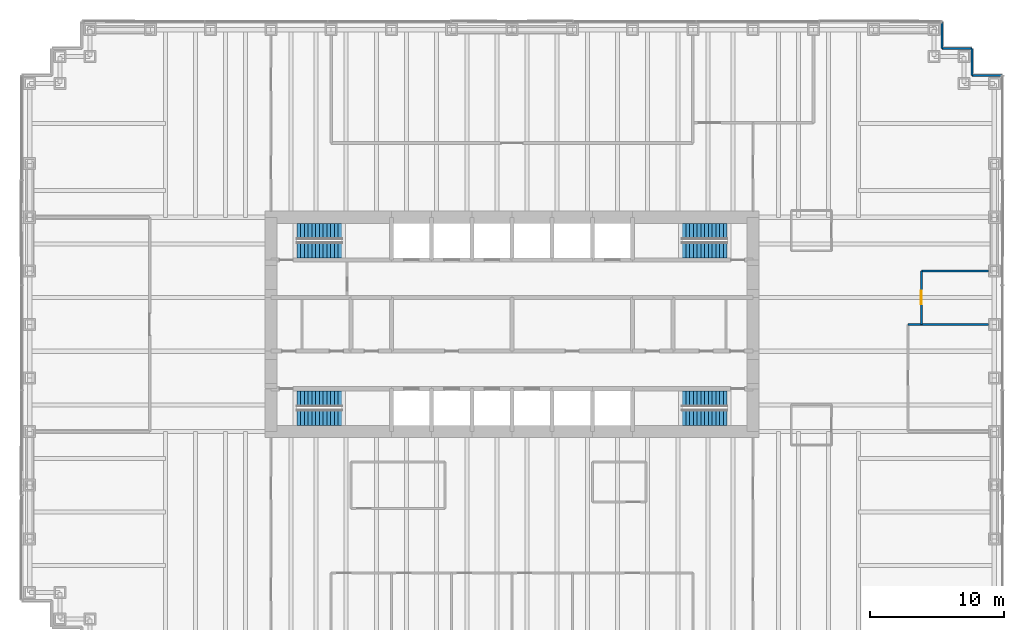
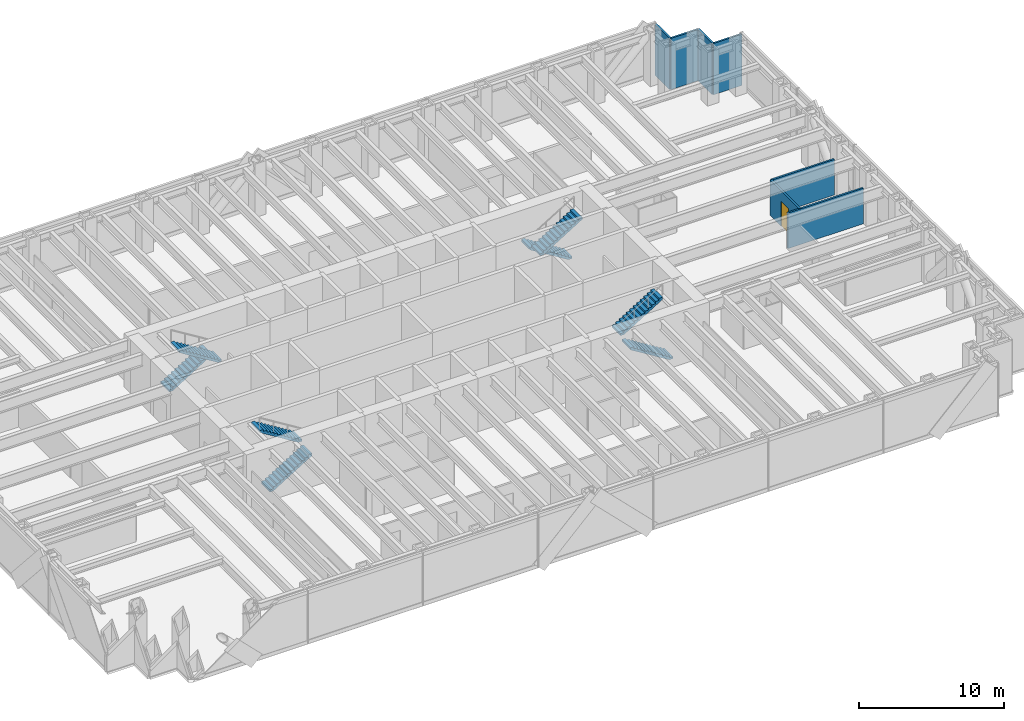
# One storey, part 12 of 13: 8 stair flights, 7 walls, 1 door, 1 opening, 4 elements without a shape of their own.
"""IFC4 building model written with IfcOpenShell, lengths in metres."""

from ifc_helpers import new_model, si_unit, direction, frame, frame_2d, origin, place, context, subcontext, project, spatial, polyline, rectangle, outline, extrude, material, layer, layer_set, type_object, element, fill, aggregate, save


model = new_model("IFC4")

# Units and contexts
model_context = context("Model", 3, precision=1e-05, world=origin(), true_north=direction((0.0, 1.0)))
body_context = subcontext(model_context, "Body", "Model", "MODEL_VIEW")
ifc_project = project(units=[si_unit("LENGTHUNIT", "METRE"), si_unit("AREAUNIT", "SQUARE_METRE"), si_unit("VOLUMEUNIT", "CUBIC_METRE"), si_unit("PLANEANGLEUNIT", "RADIAN"), si_unit("MASSUNIT", "GRAM", prefix="KILO")], contexts=[model_context])

# Site, building, storey
site_placement = place(None, origin())
site = spatial("IfcSite", under=ifc_project, at=site_placement, CompositionType="ELEMENT")
building_placement = place(site_placement, origin())
building = spatial("IfcBuilding", under=site, at=building_placement, Name="Rheinbord Bourse Tower", CompositionType="ELEMENT")
storey_placement = place(building_placement, frame((0.0, 0.0, 27.5)))
storey = spatial("IfcBuildingStorey", under=building, at=storey_placement, Name="L05", CompositionType="ELEMENT", Elevation=27.5)

# Walls
ifc_material_1 = material(Name="Black metal rainscreen panel", Category="aluminium")
ifc_layer_1 = layer(ifc_material_1, 0.14990234375)
ifc_layer_set_1 = layer_set([ifc_layer_1], Name="CORNER PIER CLADDING 150")
wall_type_1 = type_object("IfcWallType", Name="CORNER PIER CLADDING 150", PredefinedType="ELEMENTEDWALL", material=ifc_layer_set_1)
wall_1_placement = place(storey_placement, frame((72.60009765625, 42.60009765625, 0.0), z_axis=(0.0, 0.0, 1.0), x_axis=(-1.0, 0.0, 0.0)))
element("IfcWall", 1, at=wall_1_placement, inside=storey, type_object=wall_type_1, Name="Corner pier cladding L05 7", PredefinedType="ELEMENTEDWALL", context=body_context, shape_type="SweptSolid", body=[
    extrude(rectangle(XDim=2.25, YDim=0.14990234375, at=frame_2d((1.125, 0.0))), origin(), (0.0, 0.0, 1.0), 4.320068359375),
])
wall_2_placement = place(storey_placement, frame((70.35009765625, 42.60009765625, 0.0), z_axis=(0.0, 0.0, 1.0), x_axis=(0.0, 1.0, 0.0)))
element("IfcWall", 2, at=wall_2_placement, inside=storey, type_object=wall_type_1, Name="Corner pier cladding L05 8", PredefinedType="ELEMENTEDWALL", context=body_context, shape_type="SweptSolid", body=[
    extrude(rectangle(XDim=2.0, YDim=0.14990234375, at=frame_2d((1.0, 0.0))), origin(), (0.0, 0.0, 1.0), 4.320068359375),
])
wall_3_placement = place(storey_placement, frame((70.35009765625, 44.60009765625, 0.0), z_axis=(0.0, 0.0, 1.0), x_axis=(-1.0, 0.0, 0.0)))
element("IfcWall", 3, at=wall_3_placement, inside=storey, type_object=wall_type_1, Name="Corner pier cladding L05 9", PredefinedType="ELEMENTEDWALL", context=body_context, shape_type="SweptSolid", body=[
    extrude(rectangle(XDim=2.25, YDim=0.14990234375, at=frame_2d((1.125, 0.0))), origin(), (0.0, 0.0, 1.0), 4.320068359375),
])
wall_4_placement = place(storey_placement, frame((68.10009765625, 44.60009765625, 0.0), z_axis=(0.0, 0.0, 1.0), x_axis=(0.0, 1.0, 0.0)))
element("IfcWall", 4, at=wall_4_placement, inside=storey, type_object=wall_type_1, Name="Corner pier cladding L05 10", PredefinedType="ELEMENTEDWALL", context=body_context, shape_type="SweptSolid", body=[
    extrude(rectangle(XDim=2.0, YDim=0.14990234375, at=frame_2d((1.0, 0.0))), origin(), (0.0, 0.0, 1.0), 4.320068359375),
])
ifc_material_2 = material(Name="Gypsum board partition", Category="gypsum board")
ifc_layer_2 = layer(ifc_material_2, 0.14990234375)
ifc_layer_set_2 = layer_set([ifc_layer_2], Name="PARTITION 150")
wall_type_2 = type_object("IfcWallType", Name="PARTITION 150", PredefinedType="PARTITIONING", material=ifc_layer_set_2)
wall_5_placement = place(storey_placement, frame((65.550048828125, 24.0, 0.0), z_axis=(0.0, 0.0, 1.0), x_axis=(1.0, 0.0, 0.0)))
element("IfcWall", 5, at=wall_5_placement, inside=storey, type_object=wall_type_2, Name="Partition L05-10", PredefinedType="PARTITIONING", context=body_context, shape_type="SweptSolid", body=[
    extrude(rectangle(XDim=6.0, YDim=0.14990234375, at=frame_2d((3.0, 0.0))), origin(), (0.0, 0.0, 1.0), 3.0),
])
wall_6_placement = place(storey_placement, frame((66.550048828125, 28.0, 0.0), z_axis=(0.0, 0.0, 1.0), x_axis=(1.0, 0.0, 0.0)))
element("IfcWall", 6, at=wall_6_placement, inside=storey, type_object=wall_type_2, Name="Partition L05-11", PredefinedType="PARTITIONING", context=body_context, shape_type="SweptSolid", body=[
    extrude(rectangle(XDim=5.0, YDim=0.14990234375, at=frame_2d((2.5, 0.0))), origin(), (0.0, 0.0, 1.0), 3.0),
])

# Wall, opening, door
wall_7_placement = place(storey_placement, frame((66.550048828125, 24.0, 0.0), z_axis=(0.0, 0.0, 1.0), x_axis=(0.0, 1.0, 0.0)))
wall_7 = element("IfcWall", 7, at=wall_7_placement, inside=storey, type_object=wall_type_2, Name="Partition L05-40", PredefinedType="PARTITIONING", context=body_context, shape_type="SweptSolid", body=[
    extrude(rectangle(XDim=4.0, YDim=0.14990234375, at=frame_2d((2.0, 0.0))), origin(), (0.0, 0.0, 1.0), 3.0),
])
opening_placement = place(wall_7_placement, frame((1.5, 0.0, 0.0)))
opening = element("IfcOpeningElement", 8, at=opening_placement, cuts=wall_7, Name="Opening 05D11", PredefinedType="OPENING", context=body_context, shape_type="SweptSolid", body=[
    extrude(rectangle(XDim=1.0, YDim=2.10009765625, at=frame_2d((0.5, 1.050048828125))), frame((0.0, 0.0849609375, 0.0), z_axis=(0.0, -1.0, 0.0), x_axis=(1.0, 0.0, 0.0)), (0.0, 0.0, 1.0), 0.169921875),
])
ifc_material_3 = material(Name="Timber door", Category="wood")
door_type = type_object("IfcDoorType", Name="ROOM DOOR 1000", OperationType="SINGLE_SWING_LEFT", PredefinedType="DOOR", material=ifc_material_3)
door_placement = place(opening_placement, origin())
door = element("IfcDoor", 9, at=door_placement, inside=storey, type_object=door_type, Name="Locker room door L05", OperationType="SINGLE_SWING_LEFT", OverallHeight=2.10009765625, OverallWidth=1.0, PredefinedType="DOOR", context=body_context, shape_type="SweptSolid", body=[
    extrude(rectangle(XDim=1.0, YDim=2.10009765625, at=frame_2d((0.5, 1.050048828125))), frame((0.0, 0.02490234375, 0.0), z_axis=(0.0, -1.0, 0.0), x_axis=(1.0, 0.0, 0.0)), (0.0, 0.0, 1.0), 0.050048828125),
])
fill(opening, door)

# Stair, stair flights
ifc_material_4 = material(Name="Concrete C30/37", Category="concrete")
stair_type = type_object("IfcStairType", Name="CORE STAIR HALF TURN 4500", PredefinedType="HALF_TURN_STAIR", material=ifc_material_4)
stair_1_placement = place(storey_placement, origin())
stair_1 = element("IfcStair", 10, at=stair_1_placement, inside=storey, type_object=stair_type, Name="Stair ST1 L05, type CS4", PredefinedType="HALF_TURN_STAIR")
ifc_material_5 = material(Name="Concrete C30/37", Category="concrete")
stair_flight_type = type_object("IfcStairFlightType", Name="CORE STAIR FLIGHT 1200, 13 RISERS", PredefinedType="STRAIGHT", material=ifc_material_5)
stair_flight_1_placement = place(storey_placement, frame((19.949951171875, 17.050048828125, 0.0), z_axis=(0.0, 0.0, 1.0), x_axis=(1.0, 0.0, 0.0)))
stair_flight_1 = element("IfcStairFlight", 11, at=stair_flight_1_placement, type_object=stair_flight_type, Name="STAIR L05 ST1 F1", NumberOfRisers=13, NumberOfTreads=12, PredefinedType="STRAIGHT", RiserHeight=0.173076923, TreadLength=0.28, context=body_context, shape_type="SweptSolid", body=[
    extrude(outline(polyline([(0.0, 0.0), (0.0, 0.173095703125), (0.280029296875, 0.173095703125), (0.280029296875, 0.34619140625), (0.56005859375, 0.34619140625), (0.56005859375, 0.519287109375), (0.840087890625, 0.519287109375), (0.840087890625, 0.6923828125), (1.1201171875, 0.6923828125), (1.1201171875, 0.865478515625), (1.39990234375, 0.865478515625), (1.39990234375, 1.03857421875), (1.679931640625, 1.03857421875), (1.679931640625, 1.21142578125), (1.9599609375, 1.21142578125), (1.9599609375, 1.384521484375), (2.239990234375, 1.384521484375), (2.239990234375, 1.5576171875), (2.52001953125, 1.5576171875), (2.52001953125, 1.730712890625), (2.800048828125, 1.730712890625), (2.800048828125, 1.90380859375), (3.080078125, 1.90380859375), (3.080078125, 2.076904296875), (3.360107421875, 2.076904296875), (3.360107421875, 2.25), (3.360107421875, 1.900634765625), (0.28515625, 0.0), (0.0, 0.0)])), frame((0.0, 0.60009765625, 0.0), z_axis=(0.0, -1.0, 0.0), x_axis=(1.0, 0.0, 0.0)), (0.0, 0.0, 1.0), 1.199951171875),
])
stair_flight_2_placement = place(storey_placement, frame((23.31005859375, 18.449951171875, 2.25), z_axis=(0.0, 0.0, 1.0), x_axis=(-1.0, 0.0, 0.0)))
stair_flight_2 = element("IfcStairFlight", 12, at=stair_flight_2_placement, type_object=stair_flight_type, Name="STAIR L05 ST1 F2", NumberOfRisers=13, NumberOfTreads=12, PredefinedType="STRAIGHT", RiserHeight=0.173076923, TreadLength=0.28, context=body_context, shape_type="SweptSolid", body=[
    extrude(outline(polyline([(0.0, 0.0), (0.0, 0.173095703125), (0.280029296875, 0.173095703125), (0.280029296875, 0.34619140625), (0.56005859375, 0.34619140625), (0.56005859375, 0.519287109375), (0.840087890625, 0.519287109375), (0.840087890625, 0.6923828125), (1.1201171875, 0.6923828125), (1.1201171875, 0.865478515625), (1.39990234375, 0.865478515625), (1.39990234375, 1.03857421875), (1.679931640625, 1.03857421875), (1.679931640625, 1.21142578125), (1.9599609375, 1.21142578125), (1.9599609375, 1.384521484375), (2.239990234375, 1.384521484375), (2.239990234375, 1.5576171875), (2.52001953125, 1.5576171875), (2.52001953125, 1.730712890625), (2.800048828125, 1.730712890625), (2.800048828125, 1.90380859375), (3.080078125, 1.90380859375), (3.080078125, 2.076904296875), (3.360107421875, 2.076904296875), (3.360107421875, 2.25), (3.360107421875, 1.900634765625), (0.28515625, 0.0), (0.0, 0.0)])), frame((0.0, 0.60009765625, 0.0), z_axis=(0.0, -1.0, 0.0), x_axis=(1.0, 0.0, 0.0)), (0.0, 0.0, 1.0), 1.199951171875),
])
aggregate(stair_1, [stair_flight_1, stair_flight_2])

stair_2_placement = place(storey_placement, origin())
stair_2 = element("IfcStair", 13, at=stair_2_placement, inside=storey, type_object=stair_type, Name="Stair ST2 L05, type CS4", PredefinedType="HALF_TURN_STAIR")
stair_flight_3_placement = place(storey_placement, frame((19.949951171875, 30.949951171875, 0.0), z_axis=(0.0, 0.0, 1.0), x_axis=(1.0, 0.0, 0.0)))
stair_flight_3 = element("IfcStairFlight", 14, at=stair_flight_3_placement, type_object=stair_flight_type, Name="STAIR L05 ST2 F1", NumberOfRisers=13, NumberOfTreads=12, PredefinedType="STRAIGHT", RiserHeight=0.173076923, TreadLength=0.28, context=body_context, shape_type="SweptSolid", body=[
    extrude(outline(polyline([(0.0, 0.0), (0.0, 0.173095703125), (0.280029296875, 0.173095703125), (0.280029296875, 0.34619140625), (0.56005859375, 0.34619140625), (0.56005859375, 0.519287109375), (0.840087890625, 0.519287109375), (0.840087890625, 0.6923828125), (1.1201171875, 0.6923828125), (1.1201171875, 0.865478515625), (1.39990234375, 0.865478515625), (1.39990234375, 1.03857421875), (1.679931640625, 1.03857421875), (1.679931640625, 1.21142578125), (1.9599609375, 1.21142578125), (1.9599609375, 1.384521484375), (2.239990234375, 1.384521484375), (2.239990234375, 1.5576171875), (2.52001953125, 1.5576171875), (2.52001953125, 1.730712890625), (2.800048828125, 1.730712890625), (2.800048828125, 1.90380859375), (3.080078125, 1.90380859375), (3.080078125, 2.076904296875), (3.360107421875, 2.076904296875), (3.360107421875, 2.25), (3.360107421875, 1.900634765625), (0.28515625, 0.0), (0.0, 0.0)])), frame((0.0, 0.60009765625, 0.0), z_axis=(0.0, -1.0, 0.0), x_axis=(1.0, 0.0, 0.0)), (0.0, 0.0, 1.0), 1.199951171875),
])
stair_flight_4_placement = place(storey_placement, frame((23.31005859375, 29.550048828125, 2.25), z_axis=(0.0, 0.0, 1.0), x_axis=(-1.0, 0.0, 0.0)))
stair_flight_4 = element("IfcStairFlight", 15, at=stair_flight_4_placement, type_object=stair_flight_type, Name="STAIR L05 ST2 F2", NumberOfRisers=13, NumberOfTreads=12, PredefinedType="STRAIGHT", RiserHeight=0.173076923, TreadLength=0.28, context=body_context, shape_type="SweptSolid", body=[
    extrude(outline(polyline([(0.0, 0.0), (0.0, 0.173095703125), (0.280029296875, 0.173095703125), (0.280029296875, 0.34619140625), (0.56005859375, 0.34619140625), (0.56005859375, 0.519287109375), (0.840087890625, 0.519287109375), (0.840087890625, 0.6923828125), (1.1201171875, 0.6923828125), (1.1201171875, 0.865478515625), (1.39990234375, 0.865478515625), (1.39990234375, 1.03857421875), (1.679931640625, 1.03857421875), (1.679931640625, 1.21142578125), (1.9599609375, 1.21142578125), (1.9599609375, 1.384521484375), (2.239990234375, 1.384521484375), (2.239990234375, 1.5576171875), (2.52001953125, 1.5576171875), (2.52001953125, 1.730712890625), (2.800048828125, 1.730712890625), (2.800048828125, 1.90380859375), (3.080078125, 1.90380859375), (3.080078125, 2.076904296875), (3.360107421875, 2.076904296875), (3.360107421875, 2.25), (3.360107421875, 1.900634765625), (0.28515625, 0.0), (0.0, 0.0)])), frame((0.0, 0.60009765625, 0.0), z_axis=(0.0, -1.0, 0.0), x_axis=(1.0, 0.0, 0.0)), (0.0, 0.0, 1.0), 1.199951171875),
])
aggregate(stair_2, [stair_flight_3, stair_flight_4])

stair_3_placement = place(storey_placement, origin())
stair_3 = element("IfcStair", 16, at=stair_3_placement, inside=storey, type_object=stair_type, Name="Stair ST3 L05, type CS4", PredefinedType="HALF_TURN_STAIR")
stair_flight_5_placement = place(storey_placement, frame((52.050048828125, 17.050048828125, 0.0), z_axis=(0.0, 0.0, 1.0), x_axis=(-1.0, 0.0, 0.0)))
stair_flight_5 = element("IfcStairFlight", 17, at=stair_flight_5_placement, type_object=stair_flight_type, Name="STAIR L05 ST3 F1", NumberOfRisers=13, NumberOfTreads=12, PredefinedType="STRAIGHT", RiserHeight=0.173076923, TreadLength=0.28, context=body_context, shape_type="SweptSolid", body=[
    extrude(outline(polyline([(0.0, 0.0), (0.0, 0.173095703125), (0.280029296875, 0.173095703125), (0.280029296875, 0.34619140625), (0.56005859375, 0.34619140625), (0.56005859375, 0.519287109375), (0.840087890625, 0.519287109375), (0.840087890625, 0.6923828125), (1.1201171875, 0.6923828125), (1.1201171875, 0.865478515625), (1.39990234375, 0.865478515625), (1.39990234375, 1.03857421875), (1.679931640625, 1.03857421875), (1.679931640625, 1.21142578125), (1.9599609375, 1.21142578125), (1.9599609375, 1.384521484375), (2.239990234375, 1.384521484375), (2.239990234375, 1.5576171875), (2.52001953125, 1.5576171875), (2.52001953125, 1.730712890625), (2.800048828125, 1.730712890625), (2.800048828125, 1.90380859375), (3.080078125, 1.90380859375), (3.080078125, 2.076904296875), (3.360107421875, 2.076904296875), (3.360107421875, 2.25), (3.360107421875, 1.900634765625), (0.28515625, 0.0), (0.0, 0.0)])), frame((0.0, 0.60009765625, 0.0), z_axis=(0.0, -1.0, 0.0), x_axis=(1.0, 0.0, 0.0)), (0.0, 0.0, 1.0), 1.199951171875),
])
stair_flight_6_placement = place(storey_placement, frame((48.68994140625, 18.449951171875, 2.25), z_axis=(0.0, 0.0, 1.0), x_axis=(1.0, 0.0, 0.0)))
stair_flight_6 = element("IfcStairFlight", 18, at=stair_flight_6_placement, type_object=stair_flight_type, Name="STAIR L05 ST3 F2", NumberOfRisers=13, NumberOfTreads=12, PredefinedType="STRAIGHT", RiserHeight=0.173076923, TreadLength=0.28, context=body_context, shape_type="SweptSolid", body=[
    extrude(outline(polyline([(0.0, 0.0), (0.0, 0.173095703125), (0.280029296875, 0.173095703125), (0.280029296875, 0.34619140625), (0.56005859375, 0.34619140625), (0.56005859375, 0.519287109375), (0.840087890625, 0.519287109375), (0.840087890625, 0.6923828125), (1.1201171875, 0.6923828125), (1.1201171875, 0.865478515625), (1.39990234375, 0.865478515625), (1.39990234375, 1.03857421875), (1.679931640625, 1.03857421875), (1.679931640625, 1.21142578125), (1.9599609375, 1.21142578125), (1.9599609375, 1.384521484375), (2.239990234375, 1.384521484375), (2.239990234375, 1.5576171875), (2.52001953125, 1.5576171875), (2.52001953125, 1.730712890625), (2.800048828125, 1.730712890625), (2.800048828125, 1.90380859375), (3.080078125, 1.90380859375), (3.080078125, 2.076904296875), (3.360107421875, 2.076904296875), (3.360107421875, 2.25), (3.360107421875, 1.900634765625), (0.28515625, 0.0), (0.0, 0.0)])), frame((0.0, 0.60009765625, 0.0), z_axis=(0.0, -1.0, 0.0), x_axis=(1.0, 0.0, 0.0)), (0.0, 0.0, 1.0), 1.199951171875),
])
aggregate(stair_3, [stair_flight_5, stair_flight_6])

stair_4_placement = place(storey_placement, origin())
stair_4 = element("IfcStair", 19, at=stair_4_placement, inside=storey, type_object=stair_type, Name="Stair ST4 L05, type CS4", PredefinedType="HALF_TURN_STAIR")
stair_flight_7_placement = place(storey_placement, frame((52.050048828125, 30.949951171875, 0.0), z_axis=(0.0, 0.0, 1.0), x_axis=(-1.0, 0.0, 0.0)))
stair_flight_7 = element("IfcStairFlight", 20, at=stair_flight_7_placement, type_object=stair_flight_type, Name="STAIR L05 ST4 F1", NumberOfRisers=13, NumberOfTreads=12, PredefinedType="STRAIGHT", RiserHeight=0.173076923, TreadLength=0.28, context=body_context, shape_type="SweptSolid", body=[
    extrude(outline(polyline([(0.0, 0.0), (0.0, 0.173095703125), (0.280029296875, 0.173095703125), (0.280029296875, 0.34619140625), (0.56005859375, 0.34619140625), (0.56005859375, 0.519287109375), (0.840087890625, 0.519287109375), (0.840087890625, 0.6923828125), (1.1201171875, 0.6923828125), (1.1201171875, 0.865478515625), (1.39990234375, 0.865478515625), (1.39990234375, 1.03857421875), (1.679931640625, 1.03857421875), (1.679931640625, 1.21142578125), (1.9599609375, 1.21142578125), (1.9599609375, 1.384521484375), (2.239990234375, 1.384521484375), (2.239990234375, 1.5576171875), (2.52001953125, 1.5576171875), (2.52001953125, 1.730712890625), (2.800048828125, 1.730712890625), (2.800048828125, 1.90380859375), (3.080078125, 1.90380859375), (3.080078125, 2.076904296875), (3.360107421875, 2.076904296875), (3.360107421875, 2.25), (3.360107421875, 1.900634765625), (0.28515625, 0.0), (0.0, 0.0)])), frame((0.0, 0.60009765625, 0.0), z_axis=(0.0, -1.0, 0.0), x_axis=(1.0, 0.0, 0.0)), (0.0, 0.0, 1.0), 1.199951171875),
])
stair_flight_8_placement = place(storey_placement, frame((48.68994140625, 29.550048828125, 2.25), z_axis=(0.0, 0.0, 1.0), x_axis=(1.0, 0.0, 0.0)))
stair_flight_8 = element("IfcStairFlight", 21, at=stair_flight_8_placement, type_object=stair_flight_type, Name="STAIR L05 ST4 F2", NumberOfRisers=13, NumberOfTreads=12, PredefinedType="STRAIGHT", RiserHeight=0.173076923, TreadLength=0.28, context=body_context, shape_type="SweptSolid", body=[
    extrude(outline(polyline([(0.0, 0.0), (0.0, 0.173095703125), (0.280029296875, 0.173095703125), (0.280029296875, 0.34619140625), (0.56005859375, 0.34619140625), (0.56005859375, 0.519287109375), (0.840087890625, 0.519287109375), (0.840087890625, 0.6923828125), (1.1201171875, 0.6923828125), (1.1201171875, 0.865478515625), (1.39990234375, 0.865478515625), (1.39990234375, 1.03857421875), (1.679931640625, 1.03857421875), (1.679931640625, 1.21142578125), (1.9599609375, 1.21142578125), (1.9599609375, 1.384521484375), (2.239990234375, 1.384521484375), (2.239990234375, 1.5576171875), (2.52001953125, 1.5576171875), (2.52001953125, 1.730712890625), (2.800048828125, 1.730712890625), (2.800048828125, 1.90380859375), (3.080078125, 1.90380859375), (3.080078125, 2.076904296875), (3.360107421875, 2.076904296875), (3.360107421875, 2.25), (3.360107421875, 1.900634765625), (0.28515625, 0.0), (0.0, 0.0)])), frame((0.0, 0.60009765625, 0.0), z_axis=(0.0, -1.0, 0.0), x_axis=(1.0, 0.0, 0.0)), (0.0, 0.0, 1.0), 1.199951171875),
])
aggregate(stair_4, [stair_flight_7, stair_flight_8])

save(model, "model.ifc")
